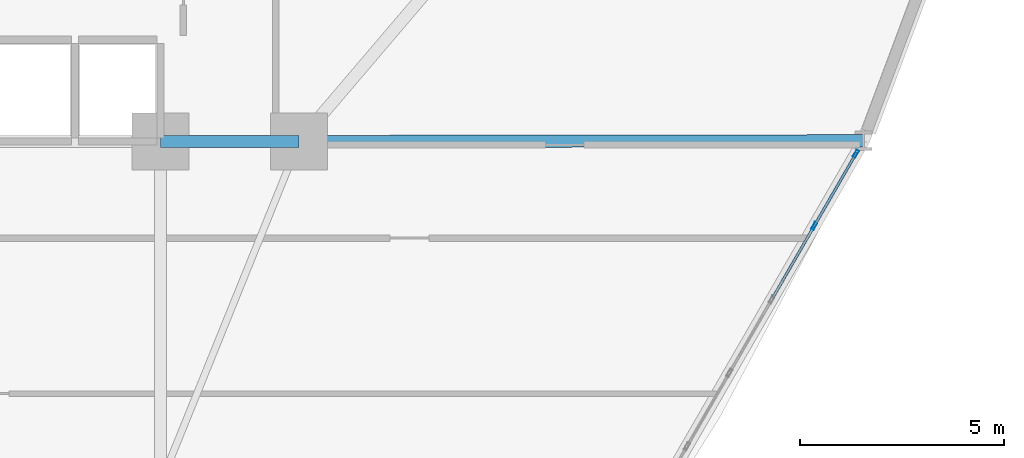
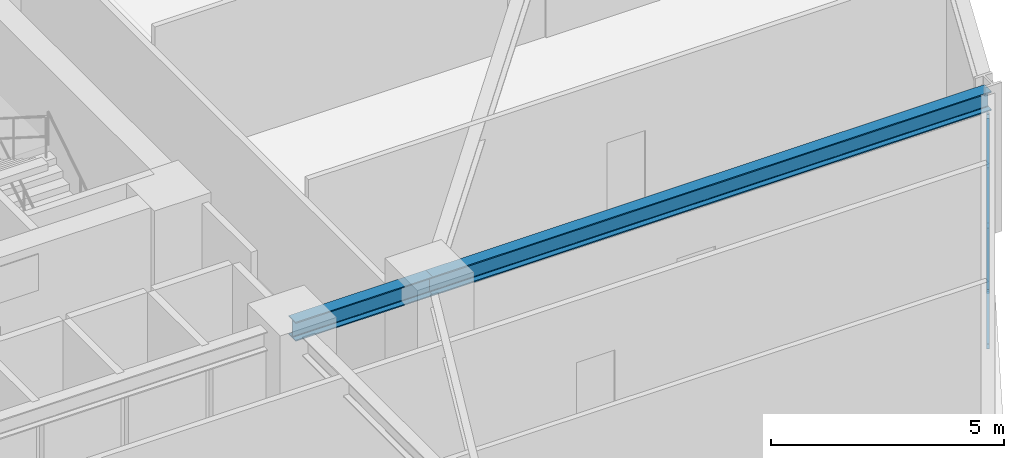
# One storey, part 8 of 20: 7 members, 2 beams, 1 element without a shape of its own.
"""IFC4 building model written with IfcOpenShell, lengths in metres."""

from ifc_helpers import new_model, si_unit, derived_unit, direction, frame, origin, origin_2d, place, context, subcontext, project, spatial, hollow_rectangle, i_section, extrude, source, transform, mapped, material, layer, layer_set, material_profile, profile_set, type_object, element, aggregate, save


model = new_model("IFC4")

# Units and contexts
model_context = context("Model", 3, precision=1e-05, world=origin(), true_north=direction((0.0, 1.0)))
body_context = subcontext(model_context, "Body", "Model", "MODEL_VIEW")
ifc_project = project(units=[si_unit("LENGTHUNIT", "METRE"), si_unit("AREAUNIT", "SQUARE_METRE"), si_unit("VOLUMEUNIT", "CUBIC_METRE"), si_unit("PLANEANGLEUNIT", "RADIAN"), si_unit("MASSUNIT", "GRAM", prefix="KILO"), derived_unit("THERMALTRANSMITTANCEUNIT", [(si_unit("POWERUNIT", "WATT"), 1), (si_unit("LENGTHUNIT", "METRE"), -2), (si_unit("THERMODYNAMICTEMPERATUREUNIT", "KELVIN"), -1)])], contexts=[model_context])

# Site, building, storey
site_placement = place(None, origin())
site = spatial("IfcSite", under=ifc_project, at=site_placement, CompositionType="ELEMENT")
building_placement = place(site_placement, origin())
building = spatial("IfcBuilding", under=site, at=building_placement, Name="Korsvarv Bourse and Concert Hall", CompositionType="ELEMENT")
storey_placement = place(building_placement, frame((0.0, 0.0, 67.800048828125)))
storey = spatial("IfcBuildingStorey", under=building, at=storey_placement, Name="L16", CompositionType="ELEMENT", Elevation=67.800048828125)

# Beams
ifc_material_1 = material(Name="Steel S355", Category="steel")
ifc_material_profile_1 = material_profile(ifc_material_1, i_section(OverallWidth=0.300048828125, OverallDepth=0.5, WebThickness=0.014404296875, FlangeThickness=0.028076171875, FilletRadius=0.02392578125, at=origin_2d()), Name="HEB 500")
ifc_profile_set_1 = profile_set([ifc_material_profile_1], Name="Steel S355")
beam_type = type_object("IfcBeamType", Name="BM-HEB500", PredefinedType="BEAM", material=ifc_profile_set_1)
shared_shape_1 = source(origin(), body_context, "Body", "SweptSolid", [
    extrude(i_section(OverallWidth=0.300048828125, OverallDepth=0.5, WebThickness=0.014404296875, FlangeThickness=0.028076171875, FilletRadius=0.02392578125, at=origin_2d()), origin(), (0.0, 0.0, 1.0), 3.400146484375),
])
beam_1_placement = place(storey_placement, frame((44.39990234375, 32.39990234375, 3.429931640625), z_axis=(1.0, 0.0, 0.0), x_axis=(0.0, 1.0, 0.0)))
element("IfcBeam", 1, at=beam_1_placement, inside=storey, type_object=beam_type, Name="L16 beam B-07", PredefinedType="BEAM", context=body_context, shape_type="MappedRepresentation", body=[
    mapped(shared_shape_1, transform((0.0, 0.0, 0.0), scale=1.0)),
])
shared_shape_2 = source(origin(), body_context, "Body", "SweptSolid", [
    extrude(i_section(OverallWidth=0.300048828125, OverallDepth=0.5, WebThickness=0.014404296875, FlangeThickness=0.028076171875, FilletRadius=0.02392578125, at=origin_2d()), origin(), (0.0, 0.0, 1.0), 13.860107421875),
])
beam_2_placement = place(storey_placement, frame((61.66015625, 32.41650390625, 3.429931640625), z_axis=(-0.999999282645, -0.001197793789, 0.0), x_axis=(0.001197793789, -0.999999282645, 0.0)))
element("IfcBeam", 2, at=beam_2_placement, inside=storey, type_object=beam_type, Name="L16 beam B-07", PredefinedType="BEAM", context=body_context, shape_type="MappedRepresentation", body=[
    mapped(shared_shape_2, transform((0.0, 0.0, 0.0), scale=1.0)),
])

# Curtain wall, members
ifc_material_2 = material(Name="Anodised aluminium and triple low-E glazing", Category="glass")
ifc_layer = layer(ifc_material_2, 0.219970703125)
ifc_layer_set = layer_set([ifc_layer], Name="Anodised aluminium and triple low-E glazing")
curtain_wall_type = type_object("IfcCurtainWallType", Name="CW-SYS-1", PredefinedType="NOTDEFINED", material=ifc_layer_set)
curtain_wall_placement = place(storey_placement, origin())
curtain_wall = element("IfcCurtainWall", 3, at=curtain_wall_placement, inside=storey, type_object=curtain_wall_type, Name="L16 CW1 curtain wall CW-L16-F11", PredefinedType="NOTDEFINED")
ifc_material_3 = material(Name="Extruded aluminium EN AW-6063 T66", Category="aluminium")
ifc_material_profile_2 = material_profile(ifc_material_3, hollow_rectangle(XDim=0.070068359375, YDim=0.18994140625, WallThickness=0.0048828125, at=origin_2d()), Name="ALU-M 70x190")
ifc_profile_set_2 = profile_set([ifc_material_profile_2], Name="Extruded aluminium EN AW-6063 T66")
member_type_1 = type_object("IfcMemberType", Name="CWM-190", PredefinedType="MULLION", material=ifc_profile_set_2)
shared_shape_3 = source(origin(), body_context, "Body", "SweptSolid", [
    extrude(hollow_rectangle(XDim=0.070068359375, YDim=0.18994140625, WallThickness=0.0048828125, at=origin_2d()), origin(), (0.0, 0.0, 1.0), 3.22998046875),
])
member_1_placement = place(storey_placement, frame((60.452392578125, 30.324462890625, 0.0), z_axis=(0.0, 0.0, 1.0), x_axis=(-0.86602191759, 0.500006038217, 0.0)))
member_1 = element("IfcMember", 4, at=member_1_placement, type_object=member_type_1, Name="CW1 mullion 7", PredefinedType="MULLION", context=body_context, shape_type="MappedRepresentation", body=[
    mapped(shared_shape_3, transform((0.0, 0.0, 0.0), scale=1.0)),
])
member_2_placement = place(storey_placement, frame((61.47705078125, 32.09912109375, 0.0), z_axis=(0.0, 0.0, 1.0), x_axis=(-0.86602191759, 0.500006038217, 0.0)))
member_2 = element("IfcMember", 5, at=member_2_placement, type_object=member_type_1, Name="CW1 mullion 8", PredefinedType="MULLION", context=body_context, shape_type="MappedRepresentation", body=[
    mapped(shared_shape_3, transform((0.0, 0.0, 0.0), scale=1.0)),
])
ifc_material_profile_3 = material_profile(ifc_material_3, hollow_rectangle(XDim=0.06494140625, YDim=0.139892578125, WallThickness=0.00390625, at=origin_2d()), Name="ALU-T 65x140")
ifc_profile_set_3 = profile_set([ifc_material_profile_3], Name="Extruded aluminium EN AW-6063 T66")
member_type_2 = type_object("IfcMemberType", Name="CWT-140", PredefinedType="USERDEFINED", material=ifc_profile_set_3)
shared_shape_4 = source(origin(), body_context, "Body", "SweptSolid", [
    extrude(hollow_rectangle(XDim=0.06494140625, YDim=0.139892578125, WallThickness=0.00390625, at=origin_2d()), origin(), (0.0, 0.0, 1.0), 1.979248046875),
])
member_3_placement = place(storey_placement, frame((60.4697265625, 30.354736328125, 0.032470703125), z_axis=(0.500039200885, 0.86600276996, 0.0), x_axis=(-0.86600276996, 0.500039200885, 0.0)))
member_3 = element("IfcMember", 6, at=member_3_placement, type_object=member_type_2, Name="CW1 transom 7.1", ObjectType="TRANSOM", PredefinedType="USERDEFINED", context=body_context, shape_type="MappedRepresentation", body=[
    mapped(shared_shape_4, transform((0.0, 0.0, 0.0), scale=1.0)),
])
member_4_placement = place(storey_placement, frame((60.4697265625, 30.354736328125, 3.197509765625), z_axis=(0.500039200885, 0.86600276996, 0.0), x_axis=(-0.86600276996, 0.500039200885, 0.0)))
member_4 = element("IfcMember", 7, at=member_4_placement, type_object=member_type_2, Name="CW1 transom 7.2", ObjectType="TRANSOM", PredefinedType="USERDEFINED", context=body_context, shape_type="MappedRepresentation", body=[
    mapped(shared_shape_4, transform((0.0, 0.0, 0.0), scale=1.0)),
])
ifc_material_profile_4 = material_profile(ifc_material_3, hollow_rectangle(XDim=0.06494140625, YDim=0.1650390625, WallThickness=0.0048828125, at=origin_2d()), Name="ALU-M 65x165")
ifc_profile_set_4 = profile_set([ifc_material_profile_4], Name="Extruded aluminium EN AW-6063 T66")
member_type_3 = type_object("IfcMemberType", Name="CWM-165", PredefinedType="MULLION", material=ifc_profile_set_4)
shared_shape_5 = source(origin(), body_context, "Body", "SweptSolid", [
    extrude(hollow_rectangle(XDim=0.06494140625, YDim=0.1650390625, WallThickness=0.0048828125, at=origin_2d()), origin(), (0.0, 0.0, 1.0), 3.677978515625),
])
member_5_placement = place(storey_placement, frame((60.4697265625, 30.354736328125, 0.06494140625), z_axis=(0.269092065497, 0.466032410423, 0.842854229818), x_axis=(-0.86600276996, 0.500039200885, 0.0)))
member_5 = element("IfcMember", 8, at=member_5_placement, type_object=member_type_3, Name="CW1 diagonal mullion 7", PredefinedType="MULLION", context=body_context, shape_type="MappedRepresentation", body=[
    mapped(shared_shape_5, transform((0.0, 0.0, 0.0), scale=1.0)),
])
shared_shape_6 = source(origin(), body_context, "Body", "SweptSolid", [
    extrude(hollow_rectangle(XDim=0.06494140625, YDim=0.139892578125, WallThickness=0.00390625, at=origin_2d()), origin(), (0.0, 0.0, 1.0), 2.0146484375),
])
member_6_placement = place(storey_placement, frame((59.427490234375, 28.549560546875, 0.032470703125), z_axis=(0.500023174947, 0.866012023309, 0.0), x_axis=(-0.866012023309, 0.500023174947, 0.0)))
member_6 = element("IfcMember", 9, at=member_6_placement, type_object=member_type_2, Name="CW1 transom 6.1", ObjectType="TRANSOM", PredefinedType="USERDEFINED", context=body_context, shape_type="MappedRepresentation", body=[
    mapped(shared_shape_6, transform((0.0, 0.0, 0.0), scale=1.0)),
])
member_7_placement = place(storey_placement, frame((59.427490234375, 28.549560546875, 3.197509765625), z_axis=(0.500023174947, 0.866012023309, 0.0), x_axis=(-0.866012023309, 0.500023174947, 0.0)))
member_7 = element("IfcMember", 10, at=member_7_placement, type_object=member_type_2, Name="CW1 transom 6.2", ObjectType="TRANSOM", PredefinedType="USERDEFINED", context=body_context, shape_type="MappedRepresentation", body=[
    mapped(shared_shape_6, transform((0.0, 0.0, 0.0), scale=1.0)),
])
aggregate(curtain_wall, [member_1, member_2, member_6, member_7, member_3, member_4, member_5])

save(model, "model.ifc")
